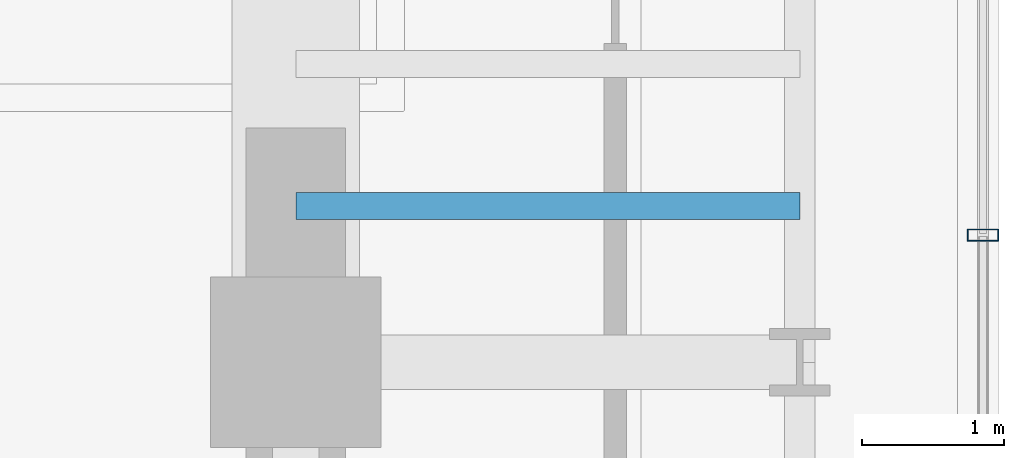
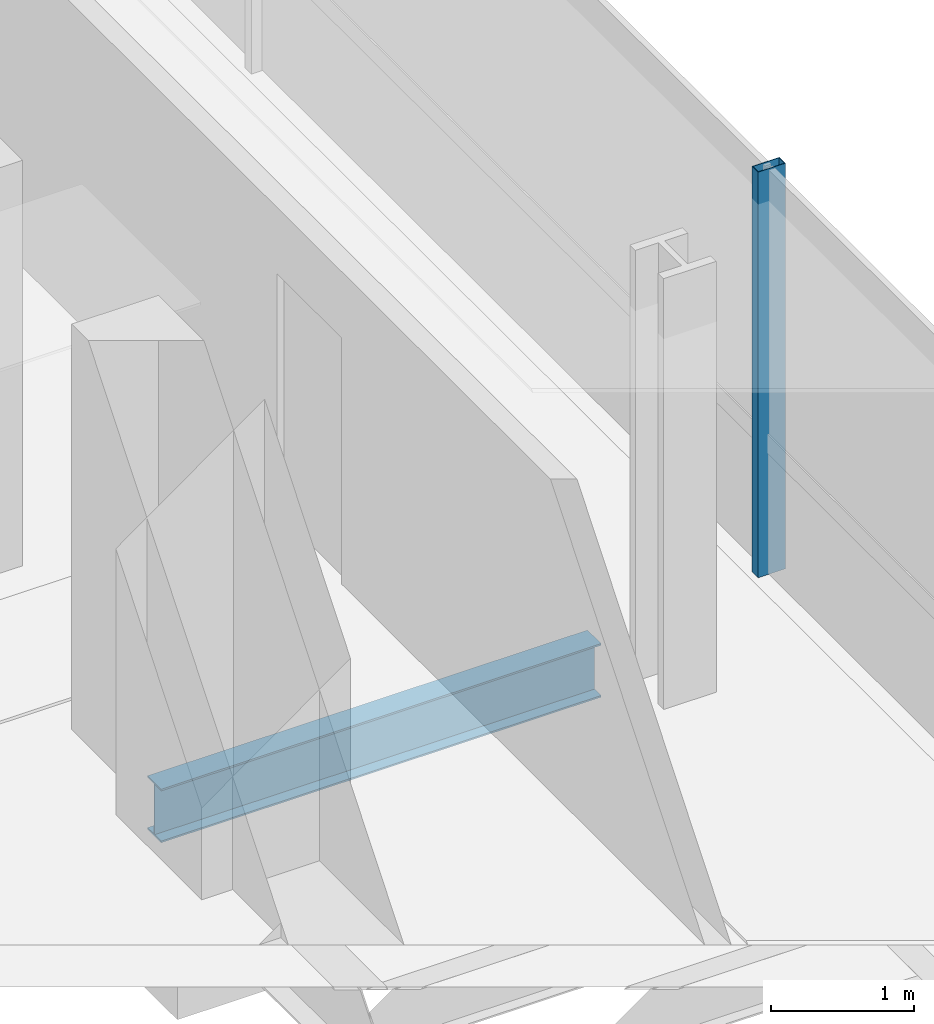
# One storey, part 13 of 35: 1 beam, 1 member, 1 element without a shape of its own.
"""IFC4 building model written with IfcOpenShell, lengths in metres."""

from ifc_helpers import new_model, si_unit, direction, frame, origin, origin_2d, place, context, subcontext, project, spatial, hollow_rectangle, i_section, extrude, source, transform, mapped, material, material_profile, profile_set, type_object, element, aggregate, save


model = new_model("IFC4")

# Units and contexts
model_context = context("Model", 3, precision=1e-05, world=origin(), true_north=direction((0.0, 1.0)))
body_context = subcontext(model_context, "Body", "Model", "MODEL_VIEW")
ifc_project = project(units=[si_unit("LENGTHUNIT", "METRE"), si_unit("AREAUNIT", "SQUARE_METRE"), si_unit("VOLUMEUNIT", "CUBIC_METRE"), si_unit("PLANEANGLEUNIT", "RADIAN"), si_unit("MASSUNIT", "GRAM", prefix="KILO")], contexts=[model_context])

# Site, building, storey
site_placement = place(None, origin())
site = spatial("IfcSite", under=ifc_project, at=site_placement, CompositionType="ELEMENT")
building_placement = place(site_placement, origin())
building = spatial("IfcBuilding", under=site, at=building_placement, Name="Valdorenza Pilgrim Sanctuary Tower", CompositionType="ELEMENT")
storey_placement = place(building_placement, frame((0.0, 0.0, 124.199951171875)))
storey = spatial("IfcBuildingStorey", under=building, at=storey_placement, Name="L31", CompositionType="ELEMENT", Elevation=124.199951171875)

# Beam
ifc_material_1 = material(Name="Steel ASTM A992 Grade 50", Category="steel")
ifc_material_profile_1 = material_profile(ifc_material_1, i_section(OverallWidth=0.19091796875, OverallDepth=0.45703125, WebThickness=0.009033203125, FlangeThickness=0.014404296875, at=origin_2d()), Name="W18X50")
ifc_profile_set_1 = profile_set([ifc_material_profile_1], Name="Steel ASTM A992 Grade 50")
beam_type = type_object("IfcBeamType", Name="STR-BM-JST-W18B", PredefinedType="JOIST", material=ifc_profile_set_1)
shared_shape_1 = source(origin(), body_context, "Body", "SweptSolid", [
    extrude(i_section(OverallWidth=0.19091796875, OverallDepth=0.45703125, WebThickness=0.009033203125, FlangeThickness=0.014404296875, at=origin_2d()), origin(), (0.0, 0.0, 1.0), 3.5498046875),
])
beam_placement = place(storey_placement, frame((24.85009765625, -1.5, -0.468505859375), z_axis=(1.0, 0.0, 0.0), x_axis=(0.0, 1.0, 0.0)))
element("IfcBeam", 1, at=beam_placement, inside=storey, type_object=beam_type, Name="L31 Composite Floor Joist JST-WB-8", PredefinedType="JOIST", context=body_context, shape_type="MappedRepresentation", body=[
    mapped(shared_shape_1, transform((0.0, 0.0, 0.0), x_axis=(1.0, 0.0, 0.0), y_axis=(0.0, 1.0, 0.0), z_axis=(0.0, 0.0, 1.0), scale=1.0)),
])

# Curtain wall, member
ifc_material_2 = material(Name="Curtain-wall IGU glazing", Category="glass")
curtain_wall_type = type_object("IfcCurtainWallType", Name="CW-SYS-03", PredefinedType="NOTDEFINED", material=ifc_material_2)
curtain_wall_placement = place(storey_placement, origin())
curtain_wall = element("IfcCurtainWall", 2, at=curtain_wall_placement, inside=storey, type_object=curtain_wall_type, Name="L31 Curtain Wall CW-L31-1-21", PredefinedType="NOTDEFINED")
ifc_material_3 = material(Name="Anodised aluminium AW-6060", Category="aluminium")
ifc_material_profile_2 = material_profile(ifc_material_3, hollow_rectangle(XDim=0.0849609375, YDim=0.219970703125, WallThickness=0.0048828125, at=origin_2d()), Name="ALU-M 220x85x5")
ifc_profile_set_2 = profile_set([ifc_material_profile_2], Name="Anodised aluminium AW-6060")
member_type = type_object("IfcMemberType", Name="CW-MUL-03", PredefinedType="MULLION", material=ifc_profile_set_2)
shared_shape_2 = source(origin(), body_context, "Body", "SweptSolid", [
    extrude(hollow_rectangle(XDim=0.0849609375, YDim=0.219970703125, WallThickness=0.0048828125, at=origin_2d()), origin(), (0.0, 0.0, 1.0), 3.4599609375),
])
member_placement = place(storey_placement, frame((29.68994140625, -1.7041015625, 0.0), z_axis=(0.0, 0.0, 1.0), x_axis=(0.0, -1.0, 0.0)))
member = element("IfcMember", 3, at=member_placement, type_object=member_type, Name="CW-L31-1-21 Mullion 3", PredefinedType="MULLION", context=body_context, shape_type="MappedRepresentation", body=[
    mapped(shared_shape_2, transform((0.0, 0.0, 0.0), x_axis=(1.0, 0.0, 0.0), y_axis=(0.0, 1.0, 0.0), z_axis=(0.0, 0.0, 1.0), scale=1.0)),
])
aggregate(curtain_wall, [member])

save(model, "model.ifc")
